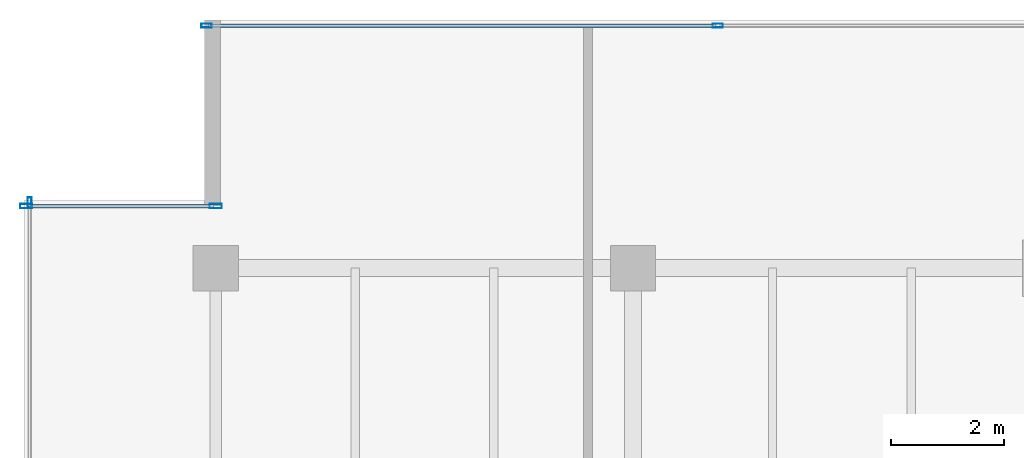
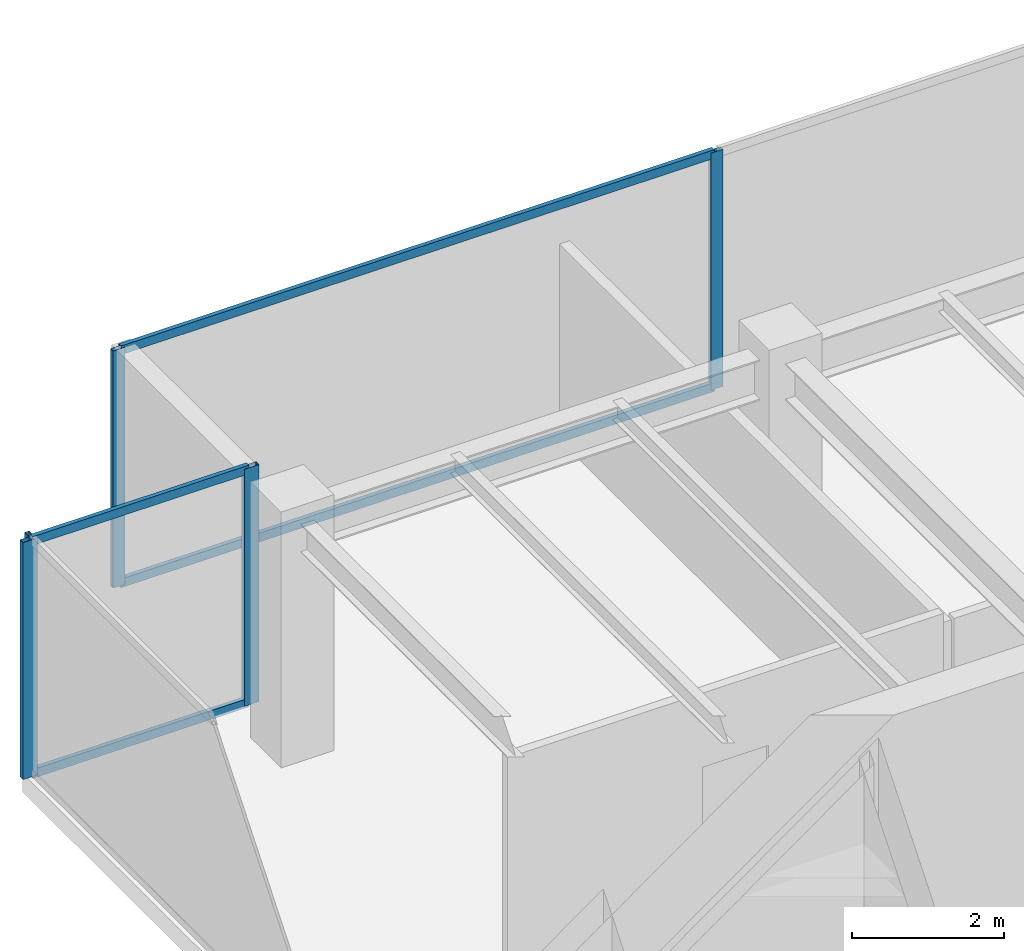
# One storey, part 15 of 33: 9 members, 3 elements without a shape of their own.
"""IFC4 building model written with IfcOpenShell, lengths in metres."""

from ifc_helpers import new_model, si_unit, direction, frame, origin, origin_2d, place, context, subcontext, project, spatial, hollow_rectangle, extrude, source, transform, mapped, material, layer, layer_set, material_profile, profile_set, type_object, type_shapes, element, aggregate, save


model = new_model("IFC4")

# Units and contexts
model_context = context("Model", 3, precision=1e-05, world=origin(), true_north=direction((0.0, 1.0)))
body_context = subcontext(model_context, "Body", "Model", "MODEL_VIEW")
ifc_project = project(units=[si_unit("LENGTHUNIT", "METRE"), si_unit("AREAUNIT", "SQUARE_METRE"), si_unit("VOLUMEUNIT", "CUBIC_METRE"), si_unit("PLANEANGLEUNIT", "RADIAN"), si_unit("MASSUNIT", "GRAM", prefix="KILO")], contexts=[model_context])

# Site, building, storey
site_placement = place(None, origin())
site = spatial("IfcSite", under=ifc_project, at=site_placement, CompositionType="ELEMENT")
building_placement = place(site_placement, origin())
building = spatial("IfcBuilding", under=site, at=building_placement, Name="Haelvirn Gate Laboratories", CompositionType="ELEMENT")
storey_placement = place(building_placement, frame((0.0, 0.0, 217.800048828125)))
storey = spatial("IfcBuildingStorey", under=building, at=storey_placement, Name="L52", CompositionType="ELEMENT", Elevation=217.800048828125)

# Curtain wall, members
ifc_material_1 = material(Name="Anodised bronze unitised aluminium & triple low-E glass", Category="aluminium")
ifc_layer_1 = layer(ifc_material_1, 0.181884765625, Name="CW-SYS-5")
ifc_layer_set_1 = layer_set([ifc_layer_1], Name="Anodised bronze unitised aluminium & triple low-E glass")
curtain_wall_type_1 = type_object("IfcCurtainWallType", Name="CW-SYS-5", PredefinedType="NOTDEFINED", material=ifc_layer_set_1)
curtain_wall_1_placement = place(storey_placement, origin())
curtain_wall_1 = element("IfcCurtainWall", 1, at=curtain_wall_1_placement, inside=storey, type_object=curtain_wall_type_1, Name="L52 Unitised Curtain Wall CW-L52-P0-E16-1", PredefinedType="NOTDEFINED")
ifc_material_2 = material(Name="Extruded aluminium 6063-T6 (anodised bronze)", Category="aluminium")
ifc_material_profile_1 = material_profile(ifc_material_2, hollow_rectangle(XDim=0.06494140625, YDim=0.139892578125, WallThickness=0.00390625, at=origin_2d()), Name="CWT-140x65x4")
ifc_profile_set_1 = profile_set([ifc_material_profile_1], Name="Extruded aluminium 6063-T6 (anodised bronze)")
member_type_1 = type_object("IfcMemberType", Name="CWT-T140", PredefinedType="USERDEFINED", material=ifc_profile_set_1)
shared_shape_1 = source(origin(), body_context, "Body", "SweptSolid", [
    extrude(hollow_rectangle(XDim=0.06494140625, YDim=0.139892578125, WallThickness=0.00390625, at=origin_2d()), origin(), (0.0, 0.0, 1.0), 3.280029296875),
])
member_1_placement = place(storey_placement, frame((4.080078125, 42.699951171875, 0.032470703125), z_axis=(1.0, 0.0, 0.0), x_axis=(0.0, 1.0, 0.0)))
member_1 = element("IfcMember", 2, at=member_1_placement, type_object=member_type_1, Name="CW5 transom 1.1", ObjectType="TRANSOM", PredefinedType="USERDEFINED", context=body_context, shape_type="MappedRepresentation", body=[
    mapped(shared_shape_1, transform((0.0, 0.0, 0.0), scale=1.0)),
])
member_2_placement = place(storey_placement, frame((4.080078125, 42.699951171875, 3.767333984375), z_axis=(1.0, 0.0, 0.0), x_axis=(0.0, 1.0, 0.0)))
member_2 = element("IfcMember", 3, at=member_2_placement, type_object=member_type_1, Name="CW5 transom 1.2", ObjectType="TRANSOM", PredefinedType="USERDEFINED", context=body_context, shape_type="MappedRepresentation", body=[
    mapped(shared_shape_1, transform((0.0, 0.0, 0.0), scale=1.0)),
])

ifc_layer_2 = layer(ifc_material_1, 0.176025390625, Name="CW-SYS-4")
ifc_layer_set_2 = layer_set([ifc_layer_2], Name="Anodised bronze unitised aluminium & triple low-E glass")
curtain_wall_type_2 = type_object("IfcCurtainWallType", Name="CW-SYS-4", PredefinedType="NOTDEFINED", material=ifc_layer_set_2)
curtain_wall_2_placement = place(storey_placement, origin())
curtain_wall_2 = element("IfcCurtainWall", 4, at=curtain_wall_2_placement, inside=storey, type_object=curtain_wall_type_2, Name="L52 Unitised Curtain Wall CW-L52-P0-E14-1", PredefinedType="NOTDEFINED")
ifc_material_profile_2 = material_profile(ifc_material_2, hollow_rectangle(XDim=0.070068359375, YDim=0.179931640625, WallThickness=0.0048828125, at=origin_2d()), Name="CWM-180x70x5")
ifc_profile_set_2 = profile_set([ifc_material_profile_2], Name="Extruded aluminium 6063-T6 (anodised bronze)")
member_type_2 = type_object("IfcMemberType", Name="CWM-T180", PredefinedType="MULLION", material=ifc_profile_set_2)
shared_shape_2 = source(origin(), body_context, "Body", "SweptSolid", [
    extrude(hollow_rectangle(XDim=0.070068359375, YDim=0.179931640625, WallThickness=0.0048828125, at=origin_2d()), origin(), (0.0, 0.0, 1.0), 3.800048828125),
])
type_shapes(member_type_2, [shared_shape_2])
member_3_placement = place(storey_placement, frame((7.235107421875, 45.89990234375, 0.0), z_axis=(0.0, 0.0, 1.0), x_axis=(0.0, 1.0, 0.0)))
member_3 = element("IfcMember", 5, at=member_3_placement, type_object=member_type_2, Name="CW4 mullion 1", PredefinedType="MULLION", context=body_context, shape_type="MappedRepresentation", body=[
    mapped(shared_shape_2, transform((0.0, 0.0, 0.0), scale=1.0)),
])
member_4_placement = place(storey_placement, frame((16.300048828125, 45.89990234375, 0.0), z_axis=(0.0, 0.0, 1.0), x_axis=(0.0, 1.0, 0.0)))
member_4 = element("IfcMember", 6, at=member_4_placement, type_object=member_type_2, Name="CW4 mullion 2", PredefinedType="MULLION", context=body_context, shape_type="MappedRepresentation", body=[
    mapped(shared_shape_2, transform((0.0, 0.0, 0.0), scale=1.0)),
])

# Curtain wall, member
curtain_wall_3_placement = place(storey_placement, origin())
curtain_wall_3 = element("IfcCurtainWall", 7, at=curtain_wall_3_placement, inside=storey, type_object=curtain_wall_type_2, Name="L52 Unitised Curtain Wall CW-L52-P0-E17", PredefinedType="NOTDEFINED")
member_5_placement = place(storey_placement, frame((4.10009765625, 42.764892578125, 0.0), z_axis=(0.0, 0.0, 1.0), x_axis=(1.0, 0.0, 0.0)))
member_5 = element("IfcMember", 8, at=member_5_placement, type_object=member_type_2, Name="CW4 mullion 1", PredefinedType="MULLION", context=body_context, shape_type="MappedRepresentation", body=[
    mapped(shared_shape_2, transform((0.0, 0.0, 0.0), scale=1.0)),
])
aggregate(curtain_wall_3, [member_5])

# Member
shared_shape_3 = source(origin(), body_context, "Body", "SweptSolid", [
    extrude(hollow_rectangle(XDim=0.06494140625, YDim=0.139892578125, WallThickness=0.00390625, at=origin_2d()), origin(), (0.0, 0.0, 1.0), 8.994873046875),
])
type_shapes(member_type_1, [shared_shape_1, shared_shape_3])
member_6_placement = place(storey_placement, frame((7.27001953125, 45.89990234375, 0.032470703125), z_axis=(1.0, 0.0, 0.0), x_axis=(0.0, 1.0, 0.0)))
member_6 = element("IfcMember", 9, at=member_6_placement, type_object=member_type_1, Name="CW4 transom 1.1", ObjectType="TRANSOM", PredefinedType="USERDEFINED", context=body_context, shape_type="MappedRepresentation", body=[
    mapped(shared_shape_3, transform((0.0, 0.0, 0.0), scale=1.0)),
])

member_7_placement = place(storey_placement, frame((7.27001953125, 45.89990234375, 3.767333984375), z_axis=(1.0, 0.0, 0.0), x_axis=(0.0, 1.0, 0.0)))
member_7 = element("IfcMember", 10, at=member_7_placement, type_object=member_type_1, Name="CW4 transom 1.2", ObjectType="TRANSOM", PredefinedType="USERDEFINED", context=body_context, shape_type="MappedRepresentation", body=[
    mapped(shared_shape_3, transform((0.0, 0.0, 0.0), scale=1.0)),
])

aggregate(curtain_wall_2, [member_3, member_4, member_6, member_7])

ifc_material_profile_3 = material_profile(ifc_material_2, hollow_rectangle(XDim=0.080078125, YDim=0.219970703125, WallThickness=0.006103515625, at=origin_2d()), Name="CWM-220x80x6")
ifc_profile_set_3 = profile_set([ifc_material_profile_3], Name="Extruded aluminium 6063-T6 (anodised bronze)")
member_type_3 = type_object("IfcMemberType", Name="CWM-T220", PredefinedType="MULLION", material=ifc_profile_set_3)
shared_shape_4 = source(origin(), body_context, "Body", "SweptSolid", [
    extrude(hollow_rectangle(XDim=0.080078125, YDim=0.219970703125, WallThickness=0.006103515625, at=origin_2d()), origin(), (0.0, 0.0, 1.0), 3.800048828125),
])
type_shapes(member_type_3, [shared_shape_4])
member_8_placement = place(storey_placement, frame((4.0400390625, 42.699951171875, 0.0), z_axis=(0.0, 0.0, 1.0), x_axis=(0.0, 1.0, 0.0)))
member_8 = element("IfcMember", 11, at=member_8_placement, type_object=member_type_3, Name="CW5 mullion 1", PredefinedType="MULLION", context=body_context, shape_type="MappedRepresentation", body=[
    mapped(shared_shape_4, transform((0.0, 0.0, 0.0), scale=1.0)),
])

member_9_placement = place(storey_placement, frame((7.39990234375, 42.699951171875, 0.0), z_axis=(0.0, 0.0, 1.0), x_axis=(0.0, 1.0, 0.0)))
member_9 = element("IfcMember", 12, at=member_9_placement, type_object=member_type_3, Name="CW5 mullion 2", PredefinedType="MULLION", context=body_context, shape_type="MappedRepresentation", body=[
    mapped(shared_shape_4, transform((0.0, 0.0, 0.0), scale=1.0)),
])

aggregate(curtain_wall_1, [member_8, member_9, member_1, member_2])

save(model, "model.ifc")
